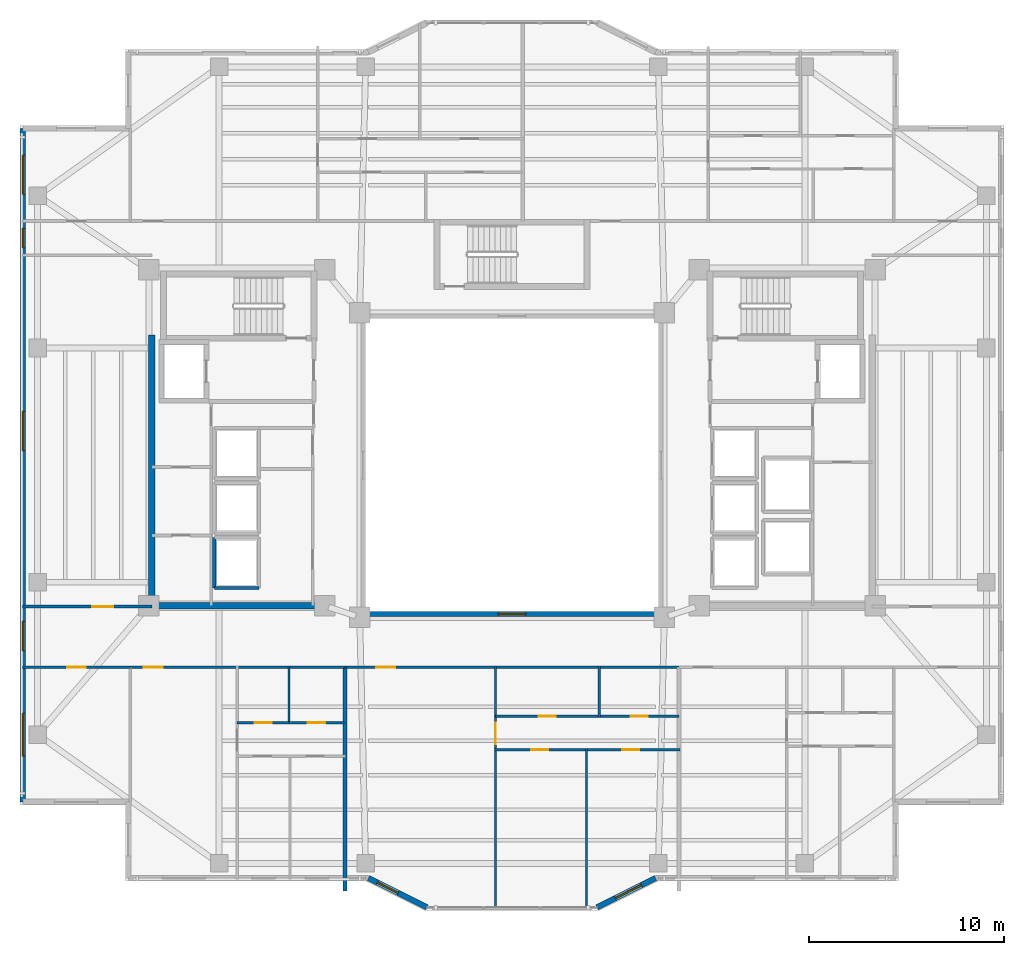
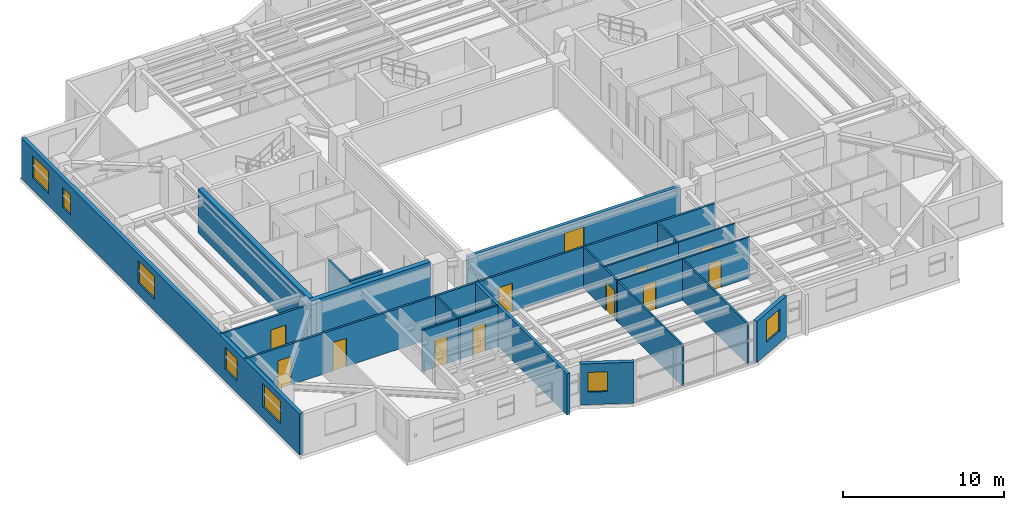
# One storey, part 6 of 15: 22 walls, 11 doors, 8 windows, 19 openings.
"""IFC4 building model written with IfcOpenShell, lengths in metres."""

from ifc_helpers import new_model, si_unit, direction, frame, frame_2d, origin, place, context, subcontext, project, spatial, rectangle, extrude, material, layer, layer_set, type_object, element, fill, save


model = new_model("IFC4")

# Units and contexts
model_context = context("Model", 3, precision=1e-05, world=origin(), true_north=direction((0.0, 1.0)))
body_context = subcontext(model_context, "Body", "Model", "MODEL_VIEW")
ifc_project = project(units=[si_unit("LENGTHUNIT", "METRE"), si_unit("AREAUNIT", "SQUARE_METRE"), si_unit("VOLUMEUNIT", "CUBIC_METRE"), si_unit("PLANEANGLEUNIT", "RADIAN"), si_unit("MASSUNIT", "GRAM", prefix="KILO")], contexts=[model_context])

# Site, building, storey
site_placement = place(None, origin())
site = spatial("IfcSite", under=ifc_project, at=site_placement, CompositionType="ELEMENT")
building_placement = place(site_placement, origin())
building = spatial("IfcBuilding", under=site, at=building_placement, Name="Tarnavaz Court Tower", CompositionType="ELEMENT")
storey_placement = place(building_placement, frame((0.0, 0.0, 162.75)))
storey = spatial("IfcBuildingStorey", under=building, at=storey_placement, Name="L44", CompositionType="ELEMENT", Elevation=162.75)

# Walls
ifc_material_1 = material(Name="Concrete C50/60", Category="concrete")
ifc_layer_1 = layer(ifc_material_1, 0.35009765625)
ifc_layer_set_1 = layer_set([ifc_layer_1], Name="Concrete C50/60")
wall_type_1 = type_object("IfcWallType", Name="WL-CORE-350-C50", PredefinedType="SHEAR", material=ifc_layer_set_1)
wall_1_placement = place(storey_placement, frame((-18.449951171875, -7.375, 0.0), z_axis=(0.0, 0.0, 1.0), x_axis=(0.0, 1.0, 0.0)))
element("IfcWall", 1, at=wall_1_placement, inside=storey, type_object=wall_type_1, Name="L44 West Core Shear Wall 057", PredefinedType="SHEAR", context=body_context, shape_type="SweptSolid", body=[
    extrude(rectangle(XDim=14.050048828125, YDim=0.35009765625, at=frame_2d((7.02490234375, 0.0))), origin(), (0.0, 0.0, 1.0), 3.35009765625),
])
wall_2_placement = place(storey_placement, frame((-18.625, -7.199951171875, 0.0), z_axis=(0.0, 0.0, 1.0), x_axis=(1.0, 0.0, 0.0)))
element("IfcWall", 2, at=wall_2_placement, inside=storey, type_object=wall_type_1, Name="L44 West Core South Shear Wall 058", PredefinedType="SHEAR", context=body_context, shape_type="SweptSolid", body=[
    extrude(rectangle(XDim=8.550048828125, YDim=0.35009765625, at=frame_2d((4.27490234375, 0.0))), origin(), (0.0, 0.0, 1.0), 3.35009765625),
])

# Wall, openings, windows
ifc_material_2 = material(Name="Precast Concrete C40/50", Category="concrete")
ifc_layer_2 = layer(ifc_material_2, 0.280029296875)
ifc_layer_set_2 = layer_set([ifc_layer_2], Name="Precast Concrete C40/50")
wall_type_2 = type_object("IfcWallType", Name="WL-EXT-280", PredefinedType="SOLIDWALL", material=ifc_layer_set_2)
wall_3_placement = place(storey_placement, frame((-25.050048828125, -17.25, 0.0), z_axis=(0.0, 0.0, 1.0), x_axis=(0.0, 1.0, 0.0)))
wall_3 = element("IfcWall", 3, at=wall_3_placement, inside=storey, type_object=wall_type_2, Name="L44 Exterior Terracotta Facade Wall 02", PredefinedType="SOLIDWALL", context=body_context, shape_type="SweptSolid", body=[
    extrude(rectangle(XDim=34.5, YDim=0.280029296875, at=frame_2d((17.25, 0.0))), origin(), (0.0, 0.0, 1.0), 3.10009765625),
])
opening_1_placement = place(wall_3_placement, frame((2.35009765625, 0.0, 0.89990234375)))
opening_1 = element("IfcOpeningElement", 4, at=opening_1_placement, cuts=wall_3, Name="Opening W07", PredefinedType="OPENING", context=body_context, shape_type="SweptSolid", body=[
    extrude(rectangle(XDim=2.199951171875, YDim=1.75, at=frame_2d((1.10009765625, 0.875))), frame((0.0, 0.14990234375, 0.0), z_axis=(0.0, -1.0, 0.0), x_axis=(1.0, 0.0, 0.0)), (0.0, 0.0, 1.0), 0.300048828125),
])
opening_2_placement = place(wall_3_placement, frame((7.742431640625, 0.0, 0.89990234375)))
opening_2 = element("IfcOpeningElement", 5, at=opening_2_placement, cuts=wall_3, Name="Opening W03", PredefinedType="OPENING", context=body_context, shape_type="SweptSolid", body=[
    extrude(rectangle(XDim=1.5, YDim=1.64990234375, at=frame_2d((0.75, 0.824951171875))), frame((0.0, 0.14990234375, 0.0), z_axis=(0.0, -1.0, 0.0), x_axis=(1.0, 0.0, 0.0)), (0.0, 0.0, 1.0), 0.300048828125),
])
opening_3_placement = place(wall_3_placement, frame((18.0, 0.0, 0.89990234375)))
opening_3 = element("IfcOpeningElement", 6, at=opening_3_placement, cuts=wall_3, Name="Opening W08", PredefinedType="OPENING", context=body_context, shape_type="SweptSolid", body=[
    extrude(rectangle(XDim=2.0, YDim=1.699951171875, at=frame_2d((1.0, 0.85009765625))), frame((0.0, 0.14990234375, 0.0), z_axis=(0.0, -1.0, 0.0), x_axis=(1.0, 0.0, 0.0)), (0.0, 0.0, 1.0), 0.300048828125),
])
opening_4_placement = place(wall_3_placement, frame((28.375, 0.0, 0.949951171875)))
opening_4 = element("IfcOpeningElement", 7, at=opening_4_placement, cuts=wall_3, Name="Opening W14", PredefinedType="OPENING", context=body_context, shape_type="SweptSolid", body=[
    extrude(rectangle(XDim=1.0, YDim=1.5, at=frame_2d((0.5, 0.75))), frame((0.0, 0.14990234375, 0.0), z_axis=(0.0, -1.0, 0.0), x_axis=(1.0, 0.0, 0.0)), (0.0, 0.0, 1.0), 0.300048828125),
])
opening_5_placement = place(wall_3_placement, frame((31.125, 0.0, 0.89990234375)))
opening_5 = element("IfcOpeningElement", 8, at=opening_5_placement, cuts=wall_3, Name="Opening W08", PredefinedType="OPENING", context=body_context, shape_type="SweptSolid", body=[
    extrude(rectangle(XDim=2.0, YDim=1.699951171875, at=frame_2d((1.0, 0.85009765625))), frame((0.0, 0.14990234375, 0.0), z_axis=(0.0, -1.0, 0.0), x_axis=(1.0, 0.0, 0.0)), (0.0, 0.0, 1.0), 0.300048828125),
])
ifc_material_3 = material(Name="Double-Glazed Solar Low-E Glass", Category="glass")
window_type_1 = type_object("IfcWindowType", Name="WN-APT-1000", PartitioningType="SINGLE_PANEL", PredefinedType="WINDOW", material=ifc_material_3)
window_1_placement = place(opening_4_placement, origin())
window_1 = element("IfcWindow", 9, at=window_1_placement, inside=storey, type_object=window_type_1, Name="L44 North-West Corner Corridor Window", OverallHeight=1.5, OverallWidth=1.0, PartitioningType="SINGLE_PANEL", PredefinedType="WINDOW", context=body_context, shape_type="SweptSolid", body=[
    extrude(rectangle(XDim=1.0, YDim=1.5, at=frame_2d((0.5, 0.75))), frame((0.0, 0.030029296875, 0.0), z_axis=(0.0, -1.0, 0.0), x_axis=(1.0, 0.0, 0.0)), (0.0, 0.0, 1.0), 0.06005859375),
])
fill(opening_4, window_1)
window_type_2 = type_object("IfcWindowType", Name="WN-APT-1500", PartitioningType="DOUBLE_PANEL_VERTICAL", PredefinedType="WINDOW", material=ifc_material_3)
window_2_placement = place(opening_2_placement, origin())
window_2 = element("IfcWindow", 10, at=window_2_placement, inside=storey, type_object=window_type_2, Name="L44 South-West Corner Corridor Window", OverallHeight=1.64990234375, OverallWidth=1.5, PartitioningType="SINGLE_PANEL", PredefinedType="WINDOW", context=body_context, shape_type="SweptSolid", body=[
    extrude(rectangle(XDim=1.5, YDim=1.64990234375, at=frame_2d((0.75, 0.824951171875))), frame((0.0, 0.030029296875, 0.0), z_axis=(0.0, -1.0, 0.0), x_axis=(1.0, 0.0, 0.0)), (0.0, 0.0, 1.0), 0.06005859375),
])
fill(opening_2, window_2)
window_type_3 = type_object("IfcWindowType", Name="WN-APT-2000", PartitioningType="DOUBLE_PANEL_VERTICAL", PredefinedType="WINDOW", material=ifc_material_3)
window_3_placement = place(opening_3_placement, origin())
window_3 = element("IfcWindow", 11, at=window_3_placement, inside=storey, type_object=window_type_3, Name="L44 West Wing Panoramic Study Gallery Window", OverallHeight=1.699951171875, OverallWidth=2.0, PartitioningType="SINGLE_PANEL", PredefinedType="WINDOW", context=body_context, shape_type="SweptSolid", body=[
    extrude(rectangle(XDim=2.0, YDim=1.699951171875, at=frame_2d((1.0, 0.85009765625))), frame((0.0, 0.030029296875, 0.0), z_axis=(0.0, -1.0, 0.0), x_axis=(1.0, 0.0, 0.0)), (0.0, 0.0, 1.0), 0.06005859375),
])
fill(opening_3, window_3)
window_4_placement = place(opening_5_placement, origin())
window_4 = element("IfcWindow", 12, at=window_4_placement, inside=storey, type_object=window_type_3, Name="L44 North-West Corner Sunroom Study Window", OverallHeight=1.699951171875, OverallWidth=2.0, PartitioningType="SINGLE_PANEL", PredefinedType="WINDOW", context=body_context, shape_type="SweptSolid", body=[
    extrude(rectangle(XDim=2.0, YDim=1.699951171875, at=frame_2d((1.0, 0.85009765625))), frame((0.0, 0.030029296875, 0.0), z_axis=(0.0, -1.0, 0.0), x_axis=(1.0, 0.0, 0.0)), (0.0, 0.0, 1.0), 0.06005859375),
])
fill(opening_5, window_4)
window_type_4 = type_object("IfcWindowType", Name="WN-APT-2200", PartitioningType="TRIPLE_PANEL_VERTICAL", PredefinedType="WINDOW", material=ifc_material_3)
window_5_placement = place(opening_1_placement, origin())
window_5 = element("IfcWindow", 13, at=window_5_placement, inside=storey, type_object=window_type_4, Name="L44 South-West Corner Reading Room Window", OverallHeight=1.75, OverallWidth=2.199951171875, PartitioningType="SINGLE_PANEL", PredefinedType="WINDOW", context=body_context, shape_type="SweptSolid", body=[
    extrude(rectangle(XDim=2.199951171875, YDim=1.75, at=frame_2d((1.10009765625, 0.875))), frame((0.0, 0.030029296875, 0.0), z_axis=(0.0, -1.0, 0.0), x_axis=(1.0, 0.0, 0.0)), (0.0, 0.0, 1.0), 0.06005859375),
])
fill(opening_1, window_5)

# Wall, opening, window
wall_4_placement = place(storey_placement, frame((7.35009765625, -21.14990234375, 0.0), z_axis=(0.0, 0.0, 1.0), x_axis=(-0.894427191, -0.4472135955, 0.0)))
wall_4 = element("IfcWall", 14, at=wall_4_placement, inside=storey, type_object=wall_type_2, Name="L44 Exterior Terracotta Facade Wall 16", PredefinedType="SOLIDWALL", context=body_context, shape_type="SweptSolid", body=[
    extrude(rectangle(XDim=3.35400390625, YDim=0.280029296875, at=frame_2d((1.677001953125, 0.0))), origin(), (0.0, 0.0, 1.0), 3.10009765625),
])
opening_6_placement = place(wall_4_placement, frame((0.796875, 0.0, 0.89990234375)))
opening_6 = element("IfcOpeningElement", 15, at=opening_6_placement, cuts=wall_4, Name="Opening W03", PredefinedType="OPENING", context=body_context, shape_type="SweptSolid", body=[
    extrude(rectangle(XDim=1.5, YDim=1.64990234375, at=frame_2d((0.75, 0.824951171875))), frame((0.0, 0.14990234375, 0.0), z_axis=(0.0, -1.0, 0.0), x_axis=(1.0, 0.0, 0.0)), (0.0, 0.0, 1.0), 0.300048828125),
])
window_6_placement = place(opening_6_placement, origin())
window_6 = element("IfcWindow", 16, at=window_6_placement, inside=storey, type_object=window_type_2, Name="L44 Flat 05 Bedroom 2 Window", OverallHeight=1.64990234375, OverallWidth=1.5, PartitioningType="SINGLE_PANEL", PredefinedType="WINDOW", context=body_context, shape_type="SweptSolid", body=[
    extrude(rectangle(XDim=1.5, YDim=1.64990234375, at=frame_2d((0.75, 0.824951171875))), frame((0.0, 0.030029296875, 0.0), z_axis=(0.0, -1.0, 0.0), x_axis=(1.0, 0.0, 0.0)), (0.0, 0.0, 1.0), 0.06005859375),
])
fill(opening_6, window_6)

wall_5_placement = place(storey_placement, frame((-4.35009765625, -22.64990234375, 0.0), z_axis=(0.0, 0.0, 1.0), x_axis=(-0.894427191, 0.4472135955, 0.0)))
wall_5 = element("IfcWall", 17, at=wall_5_placement, inside=storey, type_object=wall_type_2, Name="L44 Exterior Terracotta Facade Wall 18", PredefinedType="SOLIDWALL", context=body_context, shape_type="SweptSolid", body=[
    extrude(rectangle(XDim=3.35400390625, YDim=0.280029296875, at=frame_2d((1.677001953125, 0.0))), origin(), (0.0, 0.0, 1.0), 3.10009765625),
])
opening_7_placement = place(wall_5_placement, frame((1.65283203125, 0.0, 0.949951171875)))
opening_7 = element("IfcOpeningElement", 18, at=opening_7_placement, cuts=wall_5, Name="Opening W05", PredefinedType="OPENING", context=body_context, shape_type="SweptSolid", body=[
    extrude(rectangle(XDim=1.199951171875, YDim=1.5, at=frame_2d((0.60009765625, 0.75))), frame((0.0, 0.14990234375, 0.0), z_axis=(0.0, -1.0, 0.0), x_axis=(1.0, 0.0, 0.0)), (0.0, 0.0, 1.0), 0.300048828125),
])
window_type_5 = type_object("IfcWindowType", Name="WN-APT-1200", PartitioningType="SINGLE_PANEL", PredefinedType="WINDOW", material=ifc_material_3)
window_7_placement = place(opening_7_placement, origin())
window_7 = element("IfcWindow", 19, at=window_7_placement, inside=storey, type_object=window_type_5, Name="L44 Flat 05 Living and Dining Room Window", OverallHeight=1.5, OverallWidth=1.199951171875, PartitioningType="SINGLE_PANEL", PredefinedType="WINDOW", context=body_context, shape_type="SweptSolid", body=[
    extrude(rectangle(XDim=1.199951171875, YDim=1.5, at=frame_2d((0.60009765625, 0.75))), frame((0.0, 0.030029296875, 0.0), z_axis=(0.0, -1.0, 0.0), x_axis=(1.0, 0.0, 0.0)), (0.0, 0.0, 1.0), 0.06005859375),
])
fill(opening_7, window_7)

# Wall, opening, door
ifc_material_4 = material(Name="Gypsum Fire-Board on Acoustic Metal Stud", Category="masonry")
ifc_layer_3 = layer(ifc_material_4, 0.14990234375)
ifc_layer_set_3 = layer_set([ifc_layer_3], Name="Gypsum Fire-Board on Acoustic Metal Stud")
wall_type_3 = type_object("IfcWallType", Name="WL-FIRE-150", PredefinedType="PARTITIONING", material=ifc_layer_set_3)
wall_6_placement = place(storey_placement, frame((-19.550048828125, -10.35009765625, 0.0), z_axis=(0.0, 0.0, 1.0), x_axis=(1.0, 0.0, 0.0)))
wall_6 = element("IfcWall", 20, at=wall_6_placement, inside=storey, type_object=wall_type_3, Name="L44 SW Horseshoe Wall 074", PredefinedType="PARTITIONING", context=body_context, shape_type="SweptSolid", body=[
    extrude(rectangle(XDim=11.0, YDim=0.14990234375, at=frame_2d((5.5, 0.0))), origin(), (0.0, 0.0, 1.0), 3.10009765625),
])
opening_8_placement = place(wall_6_placement, frame((0.699951171875, 0.0, 0.0)))
opening_8 = element("IfcOpeningElement", 21, at=opening_8_placement, cuts=wall_6, Name="Opening D06", PredefinedType="OPENING", context=body_context, shape_type="SweptSolid", body=[
    extrude(rectangle(XDim=0.9599609375, YDim=2.14990234375, at=frame_2d((0.47998046875, 1.074951171875))), frame((0.0, 0.0849609375, 0.0), z_axis=(0.0, -1.0, 0.0), x_axis=(1.0, 0.0, 0.0)), (0.0, 0.0, 1.0), 0.169921875),
])
ifc_material_5 = material(Name="Fire-Rated Hardwood Timber Core", Category="wood")
door_type_1 = type_object("IfcDoorType", Name="DR-FD60-950", OperationType="NOTDEFINED", PredefinedType="DOOR", material=ifc_material_5)
door_1_placement = place(opening_8_placement, origin())
door_1 = element("IfcDoor", 22, at=door_1_placement, inside=storey, type_object=door_type_1, Name="L44 Flat 03 Entrance Door", OperationType="SINGLE_SWING_RIGHT", OverallHeight=2.14990234375, OverallWidth=0.9599609375, PredefinedType="DOOR", context=body_context, shape_type="SweptSolid", body=[
    extrude(rectangle(XDim=0.9599609375, YDim=2.14990234375, at=frame_2d((0.47998046875, 1.074951171875))), frame((0.0, 0.02490234375, 0.0), z_axis=(0.0, -1.0, 0.0), x_axis=(1.0, 0.0, 0.0)), (0.0, 0.0, 1.0), 0.050048828125),
])
fill(opening_8, door_1)

wall_7_placement = place(storey_placement, frame((-8.550048828125, -10.35009765625, 0.0), z_axis=(0.0, 0.0, 1.0), x_axis=(1.0, 0.0, 0.0)))
wall_7 = element("IfcWall", 23, at=wall_7_placement, inside=storey, type_object=wall_type_3, Name="L44 Interior Partition 103", PredefinedType="PARTITIONING", context=body_context, shape_type="SweptSolid", body=[
    extrude(rectangle(XDim=17.10009765625, YDim=0.14990234375, at=frame_2d((8.550048828125, 0.0))), origin(), (0.0, 0.0, 1.0), 3.10009765625),
])
opening_9_placement = place(wall_7_placement, frame((1.60009765625, 0.0, 0.0)))
opening_9 = element("IfcOpeningElement", 24, at=opening_9_placement, cuts=wall_7, Name="Opening D06", PredefinedType="OPENING", context=body_context, shape_type="SweptSolid", body=[
    extrude(rectangle(XDim=0.9599609375, YDim=2.14990234375, at=frame_2d((0.47998046875, 1.074951171875))), frame((0.0, 0.0849609375, 0.0), z_axis=(0.0, -1.0, 0.0), x_axis=(1.0, 0.0, 0.0)), (0.0, 0.0, 1.0), 0.169921875),
])
door_2_placement = place(opening_9_placement, origin())
door_2 = element("IfcDoor", 25, at=door_2_placement, inside=storey, type_object=door_type_1, Name="L44 Flat 05 Entrance Door", OperationType="SINGLE_SWING_RIGHT", OverallHeight=2.14990234375, OverallWidth=0.9599609375, PredefinedType="DOOR", context=body_context, shape_type="SweptSolid", body=[
    extrude(rectangle(XDim=0.9599609375, YDim=2.14990234375, at=frame_2d((0.47998046875, 1.074951171875))), frame((0.0, 0.02490234375, 0.0), z_axis=(0.0, -1.0, 0.0), x_axis=(1.0, 0.0, 0.0)), (0.0, 0.0, 1.0), 0.050048828125),
])
fill(opening_9, door_2)

wall_8_placement = place(storey_placement, frame((-25.080078125, -7.25, 0.0), z_axis=(0.0, 0.0, 1.0), x_axis=(1.0, 0.0, 0.0)))
wall_8 = element("IfcWall", 26, at=wall_8_placement, inside=storey, type_object=wall_type_3, Name="L44 Interior Partition 110", PredefinedType="PARTITIONING", context=body_context, shape_type="SweptSolid", body=[
    extrude(rectangle(XDim=6.630126953125, YDim=0.14990234375, at=frame_2d((3.31494140625, 0.0))), origin(), (0.0, 0.0, 1.0), 3.10009765625),
])
opening_10_placement = place(wall_8_placement, frame((3.580078125, 0.0, 0.0)))
opening_10 = element("IfcOpeningElement", 27, at=opening_10_placement, cuts=wall_8, Name="Opening D12", PredefinedType="OPENING", context=body_context, shape_type="SweptSolid", body=[
    extrude(rectangle(XDim=1.080078125, YDim=2.14990234375, at=frame_2d((0.5400390625, 1.074951171875))), frame((0.0, 0.0849609375, 0.0), z_axis=(0.0, -1.0, 0.0), x_axis=(1.0, 0.0, 0.0)), (0.0, 0.0, 1.0), 0.169921875),
])
ifc_material_6 = material(Name="Engineered Oak Timber", Category="wood")
door_type_2 = type_object("IfcDoorType", Name="DR-INT-1100", OperationType="NOTDEFINED", PredefinedType="DOOR", material=ifc_material_6)
door_3_placement = place(opening_10_placement, origin())
door_3 = element("IfcDoor", 28, at=door_3_placement, inside=storey, type_object=door_type_2, Name="L44 West Study Gallery Door", OperationType="SINGLE_SWING_RIGHT", OverallHeight=2.14990234375, OverallWidth=1.080078125, PredefinedType="DOOR", context=body_context, shape_type="SweptSolid", body=[
    extrude(rectangle(XDim=1.080078125, YDim=2.14990234375, at=frame_2d((0.5400390625, 1.074951171875))), frame((0.0, 0.02490234375, 0.0), z_axis=(0.0, -1.0, 0.0), x_axis=(1.0, 0.0, 0.0)), (0.0, 0.0, 1.0), 0.050048828125),
])
fill(opening_10, door_3)

wall_9_placement = place(storey_placement, frame((-25.080078125, -10.35009765625, 0.0), z_axis=(0.0, 0.0, 1.0), x_axis=(1.0, 0.0, 0.0)))
wall_9 = element("IfcWall", 29, at=wall_9_placement, inside=storey, type_object=wall_type_3, Name="L44 Interior Partition 120", PredefinedType="PARTITIONING", context=body_context, shape_type="SweptSolid", body=[
    extrude(rectangle(XDim=5.530029296875, YDim=0.14990234375, at=frame_2d((2.76513671875, 0.0))), origin(), (0.0, 0.0, 1.0), 3.10009765625),
])
opening_11_placement = place(wall_9_placement, frame((2.2900390625, 0.0, 0.0)))
opening_11 = element("IfcOpeningElement", 30, at=opening_11_placement, cuts=wall_9, Name="Opening D13", PredefinedType="OPENING", context=body_context, shape_type="SweptSolid", body=[
    extrude(rectangle(XDim=0.949951171875, YDim=2.14990234375, at=frame_2d((0.47509765625, 1.074951171875))), frame((0.0, 0.0849609375, 0.0), z_axis=(0.0, -1.0, 0.0), x_axis=(1.0, 0.0, 0.0)), (0.0, 0.0, 1.0), 0.169921875),
])
door_type_3 = type_object("IfcDoorType", Name="DR-INT-950", OperationType="NOTDEFINED", PredefinedType="DOOR", material=ifc_material_6)
door_4_placement = place(opening_11_placement, origin())
door_4 = element("IfcDoor", 31, at=door_4_placement, inside=storey, type_object=door_type_3, Name="L44 SW Reading Room Door", OperationType="SINGLE_SWING_RIGHT", OverallHeight=2.14990234375, OverallWidth=0.949951171875, PredefinedType="DOOR", context=body_context, shape_type="SweptSolid", body=[
    extrude(rectangle(XDim=0.949951171875, YDim=2.14990234375, at=frame_2d((0.47509765625, 1.074951171875))), frame((0.0, 0.02490234375, 0.0), z_axis=(0.0, -1.0, 0.0), x_axis=(1.0, 0.0, 0.0)), (0.0, 0.0, 1.0), 0.050048828125),
])
fill(opening_11, door_4)

# Wall
ifc_material_7 = material(Name="Autoclaved Aerated Concrete Blockwork", Category="masonry")
ifc_layer_4 = layer(ifc_material_7, 0.199951171875)
ifc_layer_set_4 = layer_set([ifc_layer_4], Name="Autoclaved Aerated Concrete Blockwork")
wall_type_4 = type_object("IfcWallType", Name="WL-FIRE-200", PredefinedType="SOLIDWALL", material=ifc_layer_set_4)
wall_10_placement = place(storey_placement, frame((-8.550048828125, -21.803955078125, 0.0), z_axis=(0.0, 0.0, 1.0), x_axis=(0.0, 1.0, 0.0)))
element("IfcWall", 32, at=wall_10_placement, inside=storey, type_object=wall_type_4, Name="L44 Party Wall 101", PredefinedType="SOLIDWALL", context=body_context, shape_type="SweptSolid", body=[
    extrude(rectangle(XDim=11.453857421875, YDim=0.199951171875, at=frame_2d((5.72705078125, 0.0))), origin(), (0.0, 0.0, 1.0), 3.10009765625),
])

# Wall, opening, door
ifc_material_8 = material(Name="Moisture-Resistant Gypsum Board Partition", Category="masonry")
ifc_layer_5 = layer(ifc_material_8, 0.1201171875)
ifc_layer_set_5 = layer_set([ifc_layer_5], Name="Moisture-Resistant Gypsum Board Partition")
wall_type_5 = type_object("IfcWallType", Name="WL-PART-120", PredefinedType="PARTITIONING", material=ifc_layer_set_5)
wall_11_placement = place(storey_placement, frame((-14.074951171875, -13.199951171875, 0.0), z_axis=(0.0, 0.0, 1.0), x_axis=(1.0, 0.0, 0.0)))
wall_11 = element("IfcWall", 33, at=wall_11_placement, inside=storey, type_object=wall_type_5, Name="L44 Interior Partition 090", PredefinedType="PARTITIONING", context=body_context, shape_type="SweptSolid", body=[
    extrude(rectangle(XDim=2.65283203125, YDim=0.1201171875, at=frame_2d((1.326416015625, 0.0))), origin(), (0.0, 0.0, 1.0), 3.10009765625),
])
opening_12_placement = place(wall_11_placement, frame((0.885986328125, 0.0, 0.0)))
opening_12 = element("IfcOpeningElement", 34, at=opening_12_placement, cuts=wall_11, Name="Opening D14", PredefinedType="OPENING", context=body_context, shape_type="SweptSolid", body=[
    extrude(rectangle(XDim=0.8798828125, YDim=2.10009765625, at=frame_2d((0.43994140625, 1.050048828125))), frame((0.0, 0.070068359375, 0.0), z_axis=(0.0, -1.0, 0.0), x_axis=(1.0, 0.0, 0.0)), (0.0, 0.0, 1.0), 0.14013671875),
])
door_type_4 = type_object("IfcDoorType", Name="DR-INT-900", OperationType="NOTDEFINED", PredefinedType="DOOR", material=ifc_material_6)
door_5_placement = place(opening_12_placement, origin())
door_5 = element("IfcDoor", 35, at=door_5_placement, inside=storey, type_object=door_type_4, Name="L44 Flat 03 Kitchen Door", OperationType="SINGLE_SWING_RIGHT", OverallHeight=2.10009765625, OverallWidth=0.8798828125, PredefinedType="DOOR", context=body_context, shape_type="SweptSolid", body=[
    extrude(rectangle(XDim=0.8798828125, YDim=2.10009765625, at=frame_2d((0.43994140625, 1.050048828125))), frame((0.0, 0.02490234375, 0.0), z_axis=(0.0, -1.0, 0.0), x_axis=(1.0, 0.0, 0.0)), (0.0, 0.0, 1.0), 0.050048828125),
])
fill(opening_12, door_5)

wall_12_placement = place(storey_placement, frame((-11.422119140625, -13.199951171875, 0.0), z_axis=(0.0, 0.0, 1.0), x_axis=(1.0, 0.0, 0.0)))
wall_12 = element("IfcWall", 36, at=wall_12_placement, inside=storey, type_object=wall_type_5, Name="L44 Interior Partition 091", PredefinedType="PARTITIONING", context=body_context, shape_type="SweptSolid", body=[
    extrude(rectangle(XDim=2.822021484375, YDim=0.1201171875, at=frame_2d((1.4111328125, 0.0))), origin(), (0.0, 0.0, 1.0), 3.10009765625),
])
opening_13_placement = place(wall_12_placement, frame((0.970947265625, 0.0, 0.0)))
opening_13 = element("IfcOpeningElement", 37, at=opening_13_placement, cuts=wall_12, Name="Opening D14", PredefinedType="OPENING", context=body_context, shape_type="SweptSolid", body=[
    extrude(rectangle(XDim=0.8798828125, YDim=2.10009765625, at=frame_2d((0.43994140625, 1.050048828125))), frame((0.0, 0.070068359375, 0.0), z_axis=(0.0, -1.0, 0.0), x_axis=(1.0, 0.0, 0.0)), (0.0, 0.0, 1.0), 0.14013671875),
])
door_6_placement = place(opening_13_placement, origin())
door_6 = element("IfcDoor", 38, at=door_6_placement, inside=storey, type_object=door_type_4, Name="L44 Flat 03 Bathroom Door", OperationType="SINGLE_SWING_LEFT", OverallHeight=2.10009765625, OverallWidth=0.8798828125, PredefinedType="DOOR", context=body_context, shape_type="SweptSolid", body=[
    extrude(rectangle(XDim=0.8798828125, YDim=2.10009765625, at=frame_2d((0.43994140625, 1.050048828125))), frame((0.0, 0.02490234375, 0.0), z_axis=(0.0, -1.0, 0.0), x_axis=(1.0, 0.0, 0.0)), (0.0, 0.0, 1.0), 0.050048828125),
])
fill(opening_13, door_6)

# Wall
wall_13_placement = place(storey_placement, frame((-11.422119140625, -13.260009765625, 0.0), z_axis=(0.0, 0.0, 1.0), x_axis=(0.0, 1.0, 0.0)))
element("IfcWall", 39, at=wall_13_placement, inside=storey, type_object=wall_type_5, Name="L44 Interior Partition 093", PredefinedType="PARTITIONING", context=body_context, shape_type="SweptSolid", body=[
    extrude(rectangle(XDim=2.969970703125, YDim=0.1201171875, at=frame_2d((1.48486328125, 0.0))), origin(), (0.0, 0.0, 1.0), 3.10009765625),
])

# Wall, opening, door
wall_14_placement = place(storey_placement, frame((-0.844970703125, -22.679931640625, 0.0), z_axis=(0.0, 0.0, 1.0), x_axis=(0.0, 1.0, 0.0)))
wall_14 = element("IfcWall", 40, at=wall_14_placement, inside=storey, type_object=wall_type_5, Name="L44 Interior Partition 104", PredefinedType="PARTITIONING", context=body_context, shape_type="SweptSolid", body=[
    extrude(rectangle(XDim=12.389892578125, YDim=0.1201171875, at=frame_2d((6.19482421875, 0.0))), origin(), (0.0, 0.0, 1.0), 3.10009765625),
])
opening_14_placement = place(wall_14_placement, frame((8.39501953125, 0.0, 0.0)))
opening_14 = element("IfcOpeningElement", 41, at=opening_14_placement, cuts=wall_14, Name="Opening D12", PredefinedType="OPENING", context=body_context, shape_type="SweptSolid", body=[
    extrude(rectangle(XDim=1.080078125, YDim=2.14990234375, at=frame_2d((0.5400390625, 1.074951171875))), frame((0.0, 0.070068359375, 0.0), z_axis=(0.0, -1.0, 0.0), x_axis=(1.0, 0.0, 0.0)), (0.0, 0.0, 1.0), 0.14013671875),
])
door_7_placement = place(opening_14_placement, origin())
door_7 = element("IfcDoor", 42, at=door_7_placement, inside=storey, type_object=door_type_2, Name="L44 Flat 05 Foyer Door", OperationType="SINGLE_SWING_LEFT", OverallHeight=2.14990234375, OverallWidth=1.080078125, PredefinedType="DOOR", context=body_context, shape_type="SweptSolid", body=[
    extrude(rectangle(XDim=1.080078125, YDim=2.14990234375, at=frame_2d((0.5400390625, 1.074951171875))), frame((0.0, 0.02490234375, 0.0), z_axis=(0.0, -1.0, 0.0), x_axis=(1.0, 0.0, 0.0)), (0.0, 0.0, 1.0), 0.050048828125),
])
fill(opening_14, door_7)

wall_15_placement = place(storey_placement, frame((-0.844970703125, -12.860107421875, 0.0), z_axis=(0.0, 0.0, 1.0), x_axis=(1.0, 0.0, 0.0)))
wall_15 = element("IfcWall", 43, at=wall_15_placement, inside=storey, type_object=wall_type_5, Name="L44 Interior Partition 105", PredefinedType="PARTITIONING", context=body_context, shape_type="SweptSolid", body=[
    extrude(rectangle(XDim=5.31494140625, YDim=0.1201171875, at=frame_2d((2.657470703125, 0.0))), origin(), (0.0, 0.0, 1.0), 3.10009765625),
])
opening_15_placement = place(wall_15_placement, frame((2.217041015625, 0.0, 0.0)))
opening_15 = element("IfcOpeningElement", 44, at=opening_15_placement, cuts=wall_15, Name="Opening D14", PredefinedType="OPENING", context=body_context, shape_type="SweptSolid", body=[
    extrude(rectangle(XDim=0.8798828125, YDim=2.10009765625, at=frame_2d((0.43994140625, 1.050048828125))), frame((0.0, 0.070068359375, 0.0), z_axis=(0.0, -1.0, 0.0), x_axis=(1.0, 0.0, 0.0)), (0.0, 0.0, 1.0), 0.14013671875),
])
door_8_placement = place(opening_15_placement, origin())
door_8 = element("IfcDoor", 45, at=door_8_placement, inside=storey, type_object=door_type_4, Name="L44 Flat 05 Kitchen Door", OperationType="SINGLE_SWING_RIGHT", OverallHeight=2.10009765625, OverallWidth=0.8798828125, PredefinedType="DOOR", context=body_context, shape_type="SweptSolid", body=[
    extrude(rectangle(XDim=0.8798828125, YDim=2.10009765625, at=frame_2d((0.43994140625, 1.050048828125))), frame((0.0, 0.02490234375, 0.0), z_axis=(0.0, -1.0, 0.0), x_axis=(1.0, 0.0, 0.0)), (0.0, 0.0, 1.0), 0.050048828125),
])
fill(opening_15, door_8)

wall_16_placement = place(storey_placement, frame((4.469970703125, -12.860107421875, 0.0), z_axis=(0.0, 0.0, 1.0), x_axis=(1.0, 0.0, 0.0)))
wall_16 = element("IfcWall", 46, at=wall_16_placement, inside=storey, type_object=wall_type_5, Name="L44 Interior Partition 106", PredefinedType="PARTITIONING", context=body_context, shape_type="SweptSolid", body=[
    extrude(rectangle(XDim=4.080078125, YDim=0.1201171875, at=frame_2d((2.0400390625, 0.0))), origin(), (0.0, 0.0, 1.0), 3.10009765625),
])
opening_16_placement = place(wall_16_placement, frame((1.60009765625, 0.0, 0.0)))
opening_16 = element("IfcOpeningElement", 47, at=opening_16_placement, cuts=wall_16, Name="Opening D14", PredefinedType="OPENING", context=body_context, shape_type="SweptSolid", body=[
    extrude(rectangle(XDim=0.8798828125, YDim=2.10009765625, at=frame_2d((0.43994140625, 1.050048828125))), frame((0.0, 0.070068359375, 0.0), z_axis=(0.0, -1.0, 0.0), x_axis=(1.0, 0.0, 0.0)), (0.0, 0.0, 1.0), 0.14013671875),
])
door_9_placement = place(opening_16_placement, origin())
door_9 = element("IfcDoor", 48, at=door_9_placement, inside=storey, type_object=door_type_4, Name="L44 Flat 05 Bathroom Door", OperationType="SINGLE_SWING_LEFT", OverallHeight=2.10009765625, OverallWidth=0.8798828125, PredefinedType="DOOR", context=body_context, shape_type="SweptSolid", body=[
    extrude(rectangle(XDim=0.8798828125, YDim=2.10009765625, at=frame_2d((0.43994140625, 1.050048828125))), frame((0.0, 0.02490234375, 0.0), z_axis=(0.0, -1.0, 0.0), x_axis=(1.0, 0.0, 0.0)), (0.0, 0.0, 1.0), 0.050048828125),
])
fill(opening_16, door_9)

# Wall, openings, doors
wall_17_placement = place(storey_placement, frame((-0.905029296875, -14.570068359375, 0.0), z_axis=(0.0, 0.0, 1.0), x_axis=(1.0, 0.0, 0.0)))
wall_17 = element("IfcWall", 49, at=wall_17_placement, inside=storey, type_object=wall_type_5, Name="L44 Interior Partition 107", PredefinedType="PARTITIONING", context=body_context, shape_type="SweptSolid", body=[
    extrude(rectangle(XDim=9.51513671875, YDim=0.1201171875, at=frame_2d((4.757568359375, 0.0))), origin(), (0.0, 0.0, 1.0), 3.10009765625),
])
opening_17_placement = place(wall_17_placement, frame((1.89111328125, 0.0, 0.0)))
opening_17 = element("IfcOpeningElement", 50, at=opening_17_placement, cuts=wall_17, Name="Opening D14", PredefinedType="OPENING", context=body_context, shape_type="SweptSolid", body=[
    extrude(rectangle(XDim=0.8798828125, YDim=2.10009765625, at=frame_2d((0.43994140625, 1.050048828125))), frame((0.0, 0.070068359375, 0.0), z_axis=(0.0, -1.0, 0.0), x_axis=(1.0, 0.0, 0.0)), (0.0, 0.0, 1.0), 0.14013671875),
])
opening_18_placement = place(wall_17_placement, frame((6.553955078125, 0.0, 0.0)))
opening_18 = element("IfcOpeningElement", 51, at=opening_18_placement, cuts=wall_17, Name="Opening D14", PredefinedType="OPENING", context=body_context, shape_type="SweptSolid", body=[
    extrude(rectangle(XDim=0.8798828125, YDim=2.10009765625, at=frame_2d((0.43994140625, 1.050048828125))), frame((0.0, 0.070068359375, 0.0), z_axis=(0.0, -1.0, 0.0), x_axis=(1.0, 0.0, 0.0)), (0.0, 0.0, 1.0), 0.14013671875),
])
door_10_placement = place(opening_17_placement, origin())
door_10 = element("IfcDoor", 52, at=door_10_placement, inside=storey, type_object=door_type_4, Name="L44 Flat 05 Bedroom 1 Door", OperationType="SINGLE_SWING_RIGHT", OverallHeight=2.10009765625, OverallWidth=0.8798828125, PredefinedType="DOOR", context=body_context, shape_type="SweptSolid", body=[
    extrude(rectangle(XDim=0.8798828125, YDim=2.10009765625, at=frame_2d((0.43994140625, 1.050048828125))), frame((0.0, 0.02490234375, 0.0), z_axis=(0.0, -1.0, 0.0), x_axis=(1.0, 0.0, 0.0)), (0.0, 0.0, 1.0), 0.050048828125),
])
fill(opening_17, door_10)
door_11_placement = place(opening_18_placement, origin())
door_11 = element("IfcDoor", 53, at=door_11_placement, inside=storey, type_object=door_type_4, Name="L44 Flat 05 Bedroom 2 Door", OperationType="SINGLE_SWING_LEFT", OverallHeight=2.10009765625, OverallWidth=0.8798828125, PredefinedType="DOOR", context=body_context, shape_type="SweptSolid", body=[
    extrude(rectangle(XDim=0.8798828125, YDim=2.10009765625, at=frame_2d((0.43994140625, 1.050048828125))), frame((0.0, 0.02490234375, 0.0), z_axis=(0.0, -1.0, 0.0), x_axis=(1.0, 0.0, 0.0)), (0.0, 0.0, 1.0), 0.050048828125),
])
fill(opening_18, door_11)

# Walls
wall_18_placement = place(storey_placement, frame((4.469970703125, -12.919921875, 0.0), z_axis=(0.0, 0.0, 1.0), x_axis=(0.0, 1.0, 0.0)))
element("IfcWall", 54, at=wall_18_placement, inside=storey, type_object=wall_type_5, Name="L44 Interior Partition 108", PredefinedType="PARTITIONING", context=body_context, shape_type="SweptSolid", body=[
    extrude(rectangle(XDim=2.6298828125, YDim=0.1201171875, at=frame_2d((1.31494140625, 0.0))), origin(), (0.0, 0.0, 1.0), 3.10009765625),
])
wall_19_placement = place(storey_placement, frame((3.818115234375, -22.679931640625, 0.0), z_axis=(0.0, 0.0, 1.0), x_axis=(0.0, 1.0, 0.0)))
element("IfcWall", 55, at=wall_19_placement, inside=storey, type_object=wall_type_5, Name="L44 Interior Partition 109", PredefinedType="PARTITIONING", context=body_context, shape_type="SweptSolid", body=[
    extrude(rectangle(XDim=8.169921875, YDim=0.1201171875, at=frame_2d((4.0849609375, 0.0))), origin(), (0.0, 0.0, 1.0), 3.10009765625),
])
ifc_layer_6 = layer(ifc_material_7, 0.159912109375)
ifc_layer_set_6 = layer_set([ifc_layer_6], Name="Autoclaved Aerated Concrete Blockwork")
wall_type_6 = type_object("IfcWallType", Name="WL-SHAFT-150", PredefinedType="SOLIDWALL", material=ifc_layer_set_6)
wall_20_placement = place(storey_placement, frame((-15.25, -6.300048828125, 0.0), z_axis=(0.0, 0.0, 1.0), x_axis=(0.0, 1.0, 0.0)))
element("IfcWall", 56, at=wall_20_placement, inside=storey, type_object=wall_type_6, Name="L44 Lift PL-H1 Shaft Wall 021", PredefinedType="SOLIDWALL", context=body_context, shape_type="SweptSolid", body=[
    extrude(rectangle(XDim=2.60009765625, YDim=0.159912109375, at=frame_2d((1.300048828125, 0.0))), origin(), (0.0, 0.0, 1.0), 3.10009765625),
])
wall_21_placement = place(storey_placement, frame((-15.25, -6.300048828125, 0.0), z_axis=(0.0, 0.0, 1.0), x_axis=(1.0, 0.0, 0.0)))
element("IfcWall", 57, at=wall_21_placement, inside=storey, type_object=wall_type_6, Name="L44 Lift PL-H1 Shaft Wall 023", PredefinedType="SOLIDWALL", context=body_context, shape_type="SweptSolid", body=[
    extrude(rectangle(XDim=2.300048828125, YDim=0.159912109375, at=frame_2d((1.14990234375, 0.0))), origin(), (0.0, 0.0, 1.0), 3.10009765625),
])

# Wall, opening, window
ifc_layer_7 = layer(ifc_material_2, 0.239990234375)
ifc_layer_set_7 = layer_set([ifc_layer_7], Name="Precast Concrete C40/50")
wall_type_7 = type_object("IfcWallType", Name="WL-WELL-240", PredefinedType="SOLIDWALL", material=ifc_layer_set_7)
wall_22_placement = place(storey_placement, frame((-7.6201171875, -7.6201171875, 0.0), z_axis=(0.0, 0.0, 1.0), x_axis=(1.0, 0.0, 0.0)))
wall_22 = element("IfcWall", 58, at=wall_22_placement, inside=storey, type_object=wall_type_7, Name="L44 Badgir Light-Well Exterior Wall S", PredefinedType="SOLIDWALL", context=body_context, shape_type="SweptSolid", body=[
    extrude(rectangle(XDim=15.240234375, YDim=0.239990234375, at=frame_2d((7.6201171875, 0.0))), origin(), (0.0, 0.0, 1.0), 3.10009765625),
])
opening_19_placement = place(wall_22_placement, frame((6.919921875, 0.0, 0.949951171875)))
opening_19 = element("IfcOpeningElement", 59, at=opening_19_placement, cuts=wall_22, Name="Opening W13", PredefinedType="OPENING", context=body_context, shape_type="SweptSolid", body=[
    extrude(rectangle(XDim=1.39990234375, YDim=1.5, at=frame_2d((0.699951171875, 0.75))), frame((0.0, 0.1298828125, 0.0), z_axis=(0.0, -1.0, 0.0), x_axis=(1.0, 0.0, 0.0)), (0.0, 0.0, 1.0), 0.260009765625),
])
window_type_6 = type_object("IfcWindowType", Name="WN-WEL-1400", PartitioningType="SINGLE_PANEL", PredefinedType="WINDOW", material=ifc_material_3)
window_8_placement = place(opening_19_placement, origin())
window_8 = element("IfcWindow", 60, at=window_8_placement, inside=storey, type_object=window_type_6, Name="L44 Courtyard Gallery Window S", OverallHeight=1.5, OverallWidth=1.39990234375, PartitioningType="SINGLE_PANEL", PredefinedType="WINDOW", context=body_context, shape_type="SweptSolid", body=[
    extrude(rectangle(XDim=1.39990234375, YDim=1.5, at=frame_2d((0.699951171875, 0.75))), frame((0.0, 0.030029296875, 0.0), z_axis=(0.0, -1.0, 0.0), x_axis=(1.0, 0.0, 0.0)), (0.0, 0.0, 1.0), 0.06005859375),
])
fill(opening_19, window_8)

save(model, "model.ifc")
